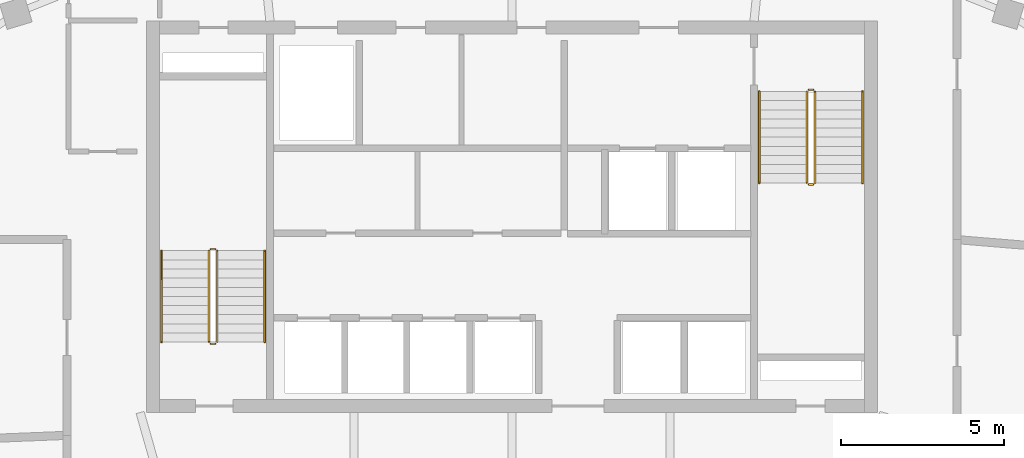
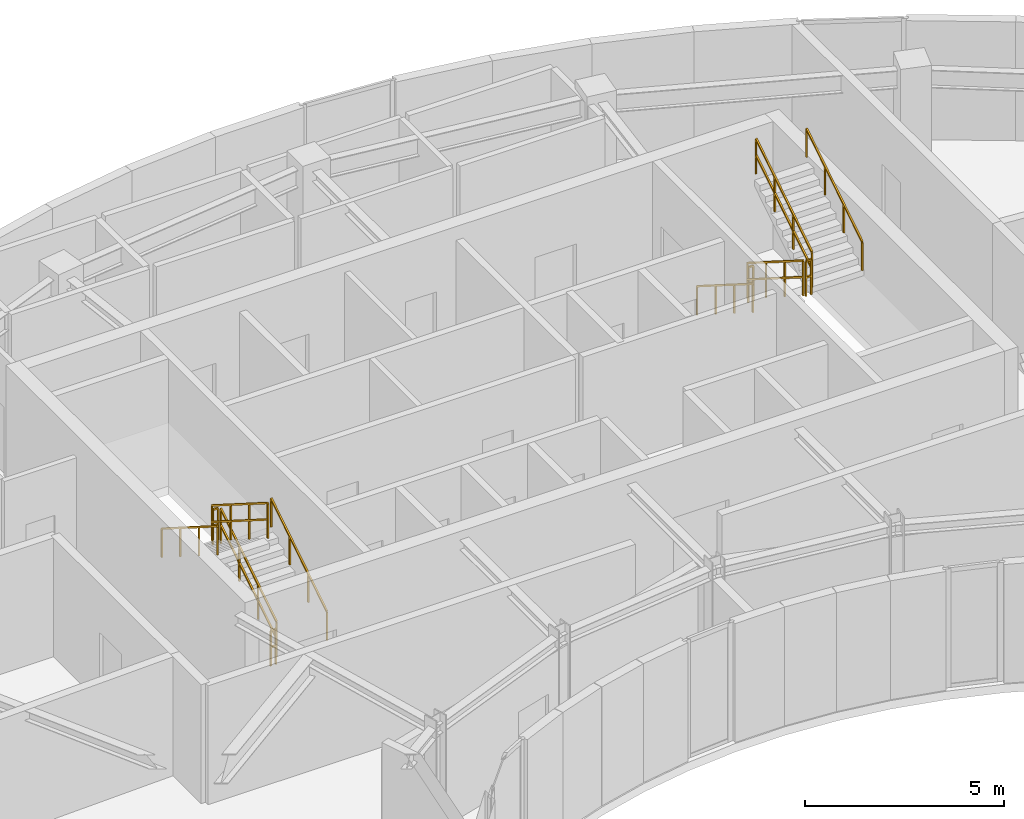
# One storey, part 9 of 9: 12 railings.
"""IFC4 building model written with IfcOpenShell, lengths in metres."""

from ifc_helpers import new_model, si_unit, direction, frame, origin, origin_2d, place, context, subcontext, project, spatial, rectangle, extrude, material, type_object, element, save


model = new_model("IFC4")

# Units and contexts
model_context = context("Model", 3, precision=1e-05, world=origin(), true_north=direction((0.0, 1.0)))
body_context = subcontext(model_context, "Body", "Model", "MODEL_VIEW")
ifc_project = project(units=[si_unit("LENGTHUNIT", "METRE"), si_unit("AREAUNIT", "SQUARE_METRE"), si_unit("VOLUMEUNIT", "CUBIC_METRE"), si_unit("PLANEANGLEUNIT", "RADIAN"), si_unit("MASSUNIT", "GRAM", prefix="KILO")], contexts=[model_context])

# Site, building, storey
site_placement = place(None, origin())
site = spatial("IfcSite", under=ifc_project, at=site_placement, CompositionType="ELEMENT")
building_placement = place(site_placement, origin())
building = spatial("IfcBuilding", under=site, at=building_placement, Name="Breltana Convention Tower", CompositionType="ELEMENT")
storey_placement = place(building_placement, frame((0.0, 0.0, 295.199951171875)))
storey = spatial("IfcBuildingStorey", under=building, at=storey_placement, Name="L72", CompositionType="ELEMENT", Elevation=295.199951171875)

# Railings
ifc_material_1 = material(Name="Steel S275 Painted", Category="steel")
railing_type_1 = type_object("IfcRailingType", Name="RL-STAIR-GUARD-1100", PredefinedType="GUARDRAIL", material=ifc_material_1)
railing_1_placement = place(storey_placement, frame((38.9599609375, 62.360107421875, 0.17724609375)))
element("IfcRailing", 1, at=railing_1_placement, inside=storey, type_object=railing_type_1, Name="L72 ST-1 stair guard 1", PredefinedType="GUARDRAIL", context=body_context, shape_type="SweptSolid", body=[
    extrude(rectangle(XDim=0.048095703125, YDim=0.048095703125, at=origin_2d()), frame((0.0, 0.0, 1.076171875), z_axis=(0.0, 0.844887892834, 0.53494340686), x_axis=(-1.0, 0.0, 0.0)), (0.0, 0.0, 1.0), 3.313720703125),
    extrude(rectangle(XDim=0.048095703125, YDim=0.048095703125, at=origin_2d()), frame((0.0, 0.0, 0.572021484375), z_axis=(0.0, 0.844887892834, 0.53494340686), x_axis=(-1.0, 0.0, 0.0)), (0.0, 0.0, 1.0), 3.313720703125),
    extrude(rectangle(XDim=0.0419921875, YDim=0.0419921875, at=origin_2d()), origin(), (0.0, 0.0, 1.0), 1.052001953125),
    extrude(rectangle(XDim=0.0419921875, YDim=0.0419921875, at=origin_2d()), frame((0.0, 0.933349609375, 0.5908203125)), (0.0, 0.0, 1.0), 1.052001953125),
    extrude(rectangle(XDim=0.0419921875, YDim=0.0419921875, at=origin_2d()), frame((0.0, 1.866455078125, 1.181884765625)), (0.0, 0.0, 1.0), 1.052001953125),
    extrude(rectangle(XDim=0.0419921875, YDim=0.0419921875, at=origin_2d()), frame((0.0, 2.7998046875, 1.772705078125)), (0.0, 0.0, 1.0), 1.052001953125),
])
railing_2_placement = place(storey_placement, frame((38.909912109375, 65.2099609375, 1.949951171875)))
element("IfcRailing", 2, at=railing_2_placement, inside=storey, type_object=railing_type_1, Name="L72 ST-1 stair guard 2", PredefinedType="GUARDRAIL", context=body_context, shape_type="SweptSolid", body=[
    extrude(rectangle(XDim=0.048095703125, YDim=0.048095703125, at=origin_2d()), frame((0.0, 0.0, 1.076171875), z_axis=(-1.0, 0.0, 0.0), x_axis=(0.0, -1.0, 0.0)), (0.0, 0.0, 1.0), 0.14990234375),
    extrude(rectangle(XDim=0.048095703125, YDim=0.048095703125, at=origin_2d()), frame((0.0, 0.0, 0.572021484375), z_axis=(-1.0, 0.0, 0.0), x_axis=(0.0, -1.0, 0.0)), (0.0, 0.0, 1.0), 0.14990234375),
    extrude(rectangle(XDim=0.0419921875, YDim=0.0419921875, at=origin_2d()), origin(), (0.0, 0.0, 1.0), 1.052001953125),
    extrude(rectangle(XDim=0.0419921875, YDim=0.0419921875, at=origin_2d()), frame((-0.14990234375, 0.0, 0.0)), (0.0, 0.0, 1.0), 1.052001953125),
])
railing_3_placement = place(storey_placement, frame((38.7099609375, 65.159912109375, 2.12744140625)))
element("IfcRailing", 3, at=railing_3_placement, inside=storey, type_object=railing_type_1, Name="L72 ST-1 stair guard 3", PredefinedType="GUARDRAIL", context=body_context, shape_type="SweptSolid", body=[
    extrude(rectangle(XDim=0.048095703125, YDim=0.048095703125, at=origin_2d()), frame((0.0, 0.0, 1.076171875), z_axis=(0.0, -0.844887892834, 0.53494340686), x_axis=(1.0, 0.0, 0.0)), (0.0, 0.0, 1.0), 3.313720703125),
    extrude(rectangle(XDim=0.048095703125, YDim=0.048095703125, at=origin_2d()), frame((0.0, 0.0, 0.572021484375), z_axis=(0.0, -0.844887892834, 0.53494340686), x_axis=(1.0, 0.0, 0.0)), (0.0, 0.0, 1.0), 3.313720703125),
    extrude(rectangle(XDim=0.0419921875, YDim=0.0419921875, at=origin_2d()), origin(), (0.0, 0.0, 1.0), 1.052001953125),
    extrude(rectangle(XDim=0.0419921875, YDim=0.0419921875, at=origin_2d()), frame((0.0, -0.933349609375, 0.5908203125)), (0.0, 0.0, 1.0), 1.052001953125),
    extrude(rectangle(XDim=0.0419921875, YDim=0.0419921875, at=origin_2d()), frame((0.0, -1.866455078125, 1.181884765625)), (0.0, 0.0, 1.0), 1.052001953125),
    extrude(rectangle(XDim=0.0419921875, YDim=0.0419921875, at=origin_2d()), frame((0.0, -2.7998046875, 1.772705078125)), (0.0, 0.0, 1.0), 1.052001953125),
])
railing_4_placement = place(storey_placement, frame((38.909912109375, 62.31005859375, 0.0)))
element("IfcRailing", 4, at=railing_4_placement, inside=storey, type_object=railing_type_1, Name="L72 ST-1 stair guard 4", PredefinedType="GUARDRAIL", context=body_context, shape_type="SweptSolid", body=[
    extrude(rectangle(XDim=0.048095703125, YDim=0.048095703125, at=origin_2d()), frame((0.0, 0.0, 1.076171875), z_axis=(-1.0, 0.0, 0.0), x_axis=(0.0, -1.0, 0.0)), (0.0, 0.0, 1.0), 0.14990234375),
    extrude(rectangle(XDim=0.048095703125, YDim=0.048095703125, at=origin_2d()), frame((0.0, 0.0, 0.572021484375), z_axis=(-1.0, 0.0, 0.0), x_axis=(0.0, -1.0, 0.0)), (0.0, 0.0, 1.0), 0.14990234375),
    extrude(rectangle(XDim=0.0419921875, YDim=0.0419921875, at=origin_2d()), origin(), (0.0, 0.0, 1.0), 1.052001953125),
    extrude(rectangle(XDim=0.0419921875, YDim=0.0419921875, at=origin_2d()), frame((-0.14990234375, 0.0, 0.0)), (0.0, 0.0, 1.0), 1.052001953125),
])
railing_5_placement = place(storey_placement, frame((57.0400390625, 70.0400390625, 0.17724609375)))
element("IfcRailing", 5, at=railing_5_placement, inside=storey, type_object=railing_type_1, Name="L72 ST-2 stair guard 1", PredefinedType="GUARDRAIL", context=body_context, shape_type="SweptSolid", body=[
    extrude(rectangle(XDim=0.048095703125, YDim=0.048095703125, at=origin_2d()), frame((0.0, 0.0, 1.076171875), z_axis=(0.0, -0.844908973607, 0.534910110503), x_axis=(1.0, 0.0, 0.0)), (0.0, 0.0, 1.0), 3.31396484375),
    extrude(rectangle(XDim=0.048095703125, YDim=0.048095703125, at=origin_2d()), frame((0.0, 0.0, 0.572021484375), z_axis=(0.0, -0.844908973607, 0.534910110503), x_axis=(1.0, 0.0, 0.0)), (0.0, 0.0, 1.0), 3.31396484375),
    extrude(rectangle(XDim=0.0419921875, YDim=0.0419921875, at=origin_2d()), origin(), (0.0, 0.0, 1.0), 1.052001953125),
    extrude(rectangle(XDim=0.0419921875, YDim=0.0419921875, at=origin_2d()), frame((0.0, -0.933349609375, 0.5908203125)), (0.0, 0.0, 1.0), 1.052001953125),
    extrude(rectangle(XDim=0.0419921875, YDim=0.0419921875, at=origin_2d()), frame((0.0, -1.86669921875, 1.181884765625)), (0.0, 0.0, 1.0), 1.052001953125),
    extrude(rectangle(XDim=0.0419921875, YDim=0.0419921875, at=origin_2d()), frame((0.0, -2.800048828125, 1.772705078125)), (0.0, 0.0, 1.0), 1.052001953125),
])
railing_6_placement = place(storey_placement, frame((57.090087890625, 67.18994140625, 1.949951171875)))
element("IfcRailing", 6, at=railing_6_placement, inside=storey, type_object=railing_type_1, Name="L72 ST-2 stair guard 2", PredefinedType="GUARDRAIL", context=body_context, shape_type="SweptSolid", body=[
    extrude(rectangle(XDim=0.048095703125, YDim=0.048095703125, at=origin_2d()), frame((0.0, 0.0, 1.076171875), z_axis=(1.0, 0.0, 0.0), x_axis=(0.0, 1.0, 0.0)), (0.0, 0.0, 1.0), 0.14990234375),
    extrude(rectangle(XDim=0.048095703125, YDim=0.048095703125, at=origin_2d()), frame((0.0, 0.0, 0.572021484375), z_axis=(1.0, 0.0, 0.0), x_axis=(0.0, 1.0, 0.0)), (0.0, 0.0, 1.0), 0.14990234375),
    extrude(rectangle(XDim=0.0419921875, YDim=0.0419921875, at=origin_2d()), origin(), (0.0, 0.0, 1.0), 1.052001953125),
    extrude(rectangle(XDim=0.0419921875, YDim=0.0419921875, at=origin_2d()), frame((0.14990234375, 0.0, 0.0)), (0.0, 0.0, 1.0), 1.052001953125),
])
railing_7_placement = place(storey_placement, frame((57.2900390625, 67.239990234375, 2.12744140625)))
element("IfcRailing", 7, at=railing_7_placement, inside=storey, type_object=railing_type_1, Name="L72 ST-2 stair guard 3", PredefinedType="GUARDRAIL", context=body_context, shape_type="SweptSolid", body=[
    extrude(rectangle(XDim=0.048095703125, YDim=0.048095703125, at=origin_2d()), frame((0.0, 0.0, 1.076171875), z_axis=(0.0, 0.844908973607, 0.534910110503), x_axis=(-1.0, 0.0, 0.0)), (0.0, 0.0, 1.0), 3.31396484375),
    extrude(rectangle(XDim=0.048095703125, YDim=0.048095703125, at=origin_2d()), frame((0.0, 0.0, 0.572021484375), z_axis=(0.0, 0.844908973607, 0.534910110503), x_axis=(-1.0, 0.0, 0.0)), (0.0, 0.0, 1.0), 3.31396484375),
    extrude(rectangle(XDim=0.0419921875, YDim=0.0419921875, at=origin_2d()), origin(), (0.0, 0.0, 1.0), 1.052001953125),
    extrude(rectangle(XDim=0.0419921875, YDim=0.0419921875, at=origin_2d()), frame((0.0, 0.933349609375, 0.5908203125)), (0.0, 0.0, 1.0), 1.052001953125),
    extrude(rectangle(XDim=0.0419921875, YDim=0.0419921875, at=origin_2d()), frame((0.0, 1.86669921875, 1.181884765625)), (0.0, 0.0, 1.0), 1.052001953125),
    extrude(rectangle(XDim=0.0419921875, YDim=0.0419921875, at=origin_2d()), frame((0.0, 2.800048828125, 1.772705078125)), (0.0, 0.0, 1.0), 1.052001953125),
])
railing_8_placement = place(storey_placement, frame((57.090087890625, 70.090087890625, 0.0)))
element("IfcRailing", 8, at=railing_8_placement, inside=storey, type_object=railing_type_1, Name="L72 ST-2 stair guard 4", PredefinedType="GUARDRAIL", context=body_context, shape_type="SweptSolid", body=[
    extrude(rectangle(XDim=0.048095703125, YDim=0.048095703125, at=origin_2d()), frame((0.0, 0.0, 1.076171875), z_axis=(1.0, 0.0, 0.0), x_axis=(0.0, 1.0, 0.0)), (0.0, 0.0, 1.0), 0.14990234375),
    extrude(rectangle(XDim=0.048095703125, YDim=0.048095703125, at=origin_2d()), frame((0.0, 0.0, 0.572021484375), z_axis=(1.0, 0.0, 0.0), x_axis=(0.0, 1.0, 0.0)), (0.0, 0.0, 1.0), 0.14990234375),
    extrude(rectangle(XDim=0.0419921875, YDim=0.0419921875, at=origin_2d()), origin(), (0.0, 0.0, 1.0), 1.052001953125),
    extrude(rectangle(XDim=0.0419921875, YDim=0.0419921875, at=origin_2d()), frame((0.14990234375, 0.0, 0.0)), (0.0, 0.0, 1.0), 1.052001953125),
])
ifc_material_2 = material(Name="Stainless Steel 316L", Category="steel")
railing_type_2 = type_object("IfcRailingType", Name="RL-STAIR-HANDRAIL-900", PredefinedType="HANDRAIL", material=ifc_material_2)
railing_9_placement = place(storey_placement, frame((40.419921875, 62.360107421875, 0.17724609375)))
element("IfcRailing", 9, at=railing_9_placement, inside=storey, type_object=railing_type_2, Name="L72 ST-1 stair handrail 1", PredefinedType="HANDRAIL", context=body_context, shape_type="SweptSolid", body=[
    extrude(rectangle(XDim=0.048095703125, YDim=0.048095703125, at=origin_2d()), frame((0.0, 0.0, 0.8759765625), z_axis=(0.0, 0.844887892834, 0.53494340686), x_axis=(-1.0, 0.0, 0.0)), (0.0, 0.0, 1.0), 3.313720703125),
    extrude(rectangle(XDim=0.0419921875, YDim=0.0419921875, at=origin_2d()), origin(), (0.0, 0.0, 1.0), 0.851806640625),
    extrude(rectangle(XDim=0.0419921875, YDim=0.0419921875, at=origin_2d()), frame((0.0, 0.933349609375, 0.5908203125)), (0.0, 0.0, 1.0), 0.851806640625),
    extrude(rectangle(XDim=0.0419921875, YDim=0.0419921875, at=origin_2d()), frame((0.0, 1.866455078125, 1.181884765625)), (0.0, 0.0, 1.0), 0.851806640625),
    extrude(rectangle(XDim=0.0419921875, YDim=0.0419921875, at=origin_2d()), frame((0.0, 2.7998046875, 1.772705078125)), (0.0, 0.0, 1.0), 0.851806640625),
])
railing_10_placement = place(storey_placement, frame((37.25, 65.159912109375, 2.12744140625)))
element("IfcRailing", 10, at=railing_10_placement, inside=storey, type_object=railing_type_2, Name="L72 ST-1 stair handrail 2", PredefinedType="HANDRAIL", context=body_context, shape_type="SweptSolid", body=[
    extrude(rectangle(XDim=0.048095703125, YDim=0.048095703125, at=origin_2d()), frame((0.0, 0.0, 0.8759765625), z_axis=(0.0, -0.844887892834, 0.53494340686), x_axis=(1.0, 0.0, 0.0)), (0.0, 0.0, 1.0), 3.313720703125),
    extrude(rectangle(XDim=0.0419921875, YDim=0.0419921875, at=origin_2d()), origin(), (0.0, 0.0, 1.0), 0.851806640625),
    extrude(rectangle(XDim=0.0419921875, YDim=0.0419921875, at=origin_2d()), frame((0.0, -0.933349609375, 0.5908203125)), (0.0, 0.0, 1.0), 0.851806640625),
    extrude(rectangle(XDim=0.0419921875, YDim=0.0419921875, at=origin_2d()), frame((0.0, -1.866455078125, 1.181884765625)), (0.0, 0.0, 1.0), 0.851806640625),
    extrude(rectangle(XDim=0.0419921875, YDim=0.0419921875, at=origin_2d()), frame((0.0, -2.7998046875, 1.772705078125)), (0.0, 0.0, 1.0), 0.851806640625),
])
railing_11_placement = place(storey_placement, frame((55.580078125, 70.0400390625, 0.17724609375)))
element("IfcRailing", 11, at=railing_11_placement, inside=storey, type_object=railing_type_2, Name="L72 ST-2 stair handrail 1", PredefinedType="HANDRAIL", context=body_context, shape_type="SweptSolid", body=[
    extrude(rectangle(XDim=0.048095703125, YDim=0.048095703125, at=origin_2d()), frame((0.0, 0.0, 0.8759765625), z_axis=(0.0, -0.844908973607, 0.534910110503), x_axis=(1.0, 0.0, 0.0)), (0.0, 0.0, 1.0), 3.31396484375),
    extrude(rectangle(XDim=0.0419921875, YDim=0.0419921875, at=origin_2d()), origin(), (0.0, 0.0, 1.0), 0.851806640625),
    extrude(rectangle(XDim=0.0419921875, YDim=0.0419921875, at=origin_2d()), frame((0.0, -0.933349609375, 0.5908203125)), (0.0, 0.0, 1.0), 0.851806640625),
    extrude(rectangle(XDim=0.0419921875, YDim=0.0419921875, at=origin_2d()), frame((0.0, -1.86669921875, 1.181884765625)), (0.0, 0.0, 1.0), 0.851806640625),
    extrude(rectangle(XDim=0.0419921875, YDim=0.0419921875, at=origin_2d()), frame((0.0, -2.800048828125, 1.772705078125)), (0.0, 0.0, 1.0), 0.851806640625),
])
railing_12_placement = place(storey_placement, frame((58.75, 67.239990234375, 2.12744140625)))
element("IfcRailing", 12, at=railing_12_placement, inside=storey, type_object=railing_type_2, Name="L72 ST-2 stair handrail 2", PredefinedType="HANDRAIL", context=body_context, shape_type="SweptSolid", body=[
    extrude(rectangle(XDim=0.048095703125, YDim=0.048095703125, at=origin_2d()), frame((0.0, 0.0, 0.8759765625), z_axis=(0.0, 0.844908973607, 0.534910110503), x_axis=(-1.0, 0.0, 0.0)), (0.0, 0.0, 1.0), 3.31396484375),
    extrude(rectangle(XDim=0.0419921875, YDim=0.0419921875, at=origin_2d()), origin(), (0.0, 0.0, 1.0), 0.851806640625),
    extrude(rectangle(XDim=0.0419921875, YDim=0.0419921875, at=origin_2d()), frame((0.0, 0.933349609375, 0.5908203125)), (0.0, 0.0, 1.0), 0.851806640625),
    extrude(rectangle(XDim=0.0419921875, YDim=0.0419921875, at=origin_2d()), frame((0.0, 1.86669921875, 1.181884765625)), (0.0, 0.0, 1.0), 0.851806640625),
    extrude(rectangle(XDim=0.0419921875, YDim=0.0419921875, at=origin_2d()), frame((0.0, 2.800048828125, 1.772705078125)), (0.0, 0.0, 1.0), 0.851806640625),
])

save(model, "model.ifc")
